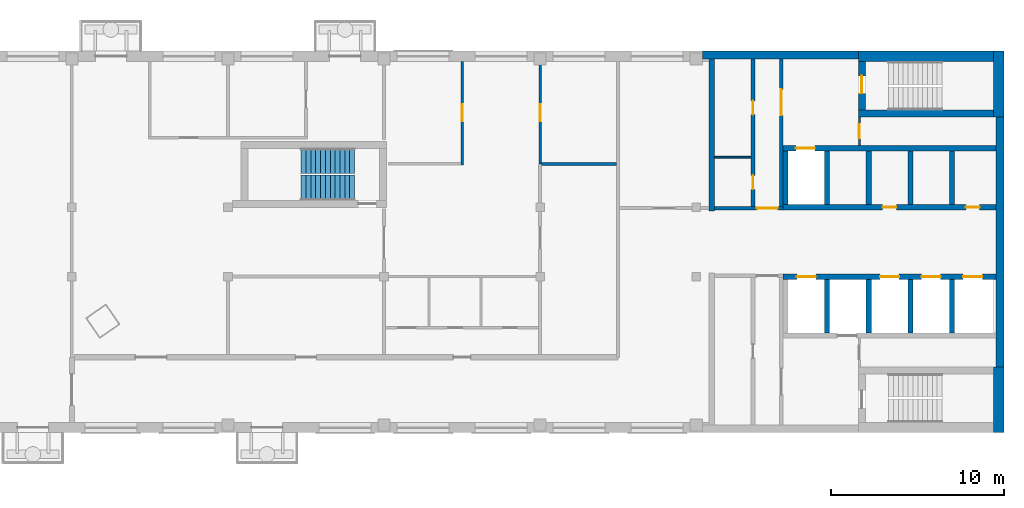
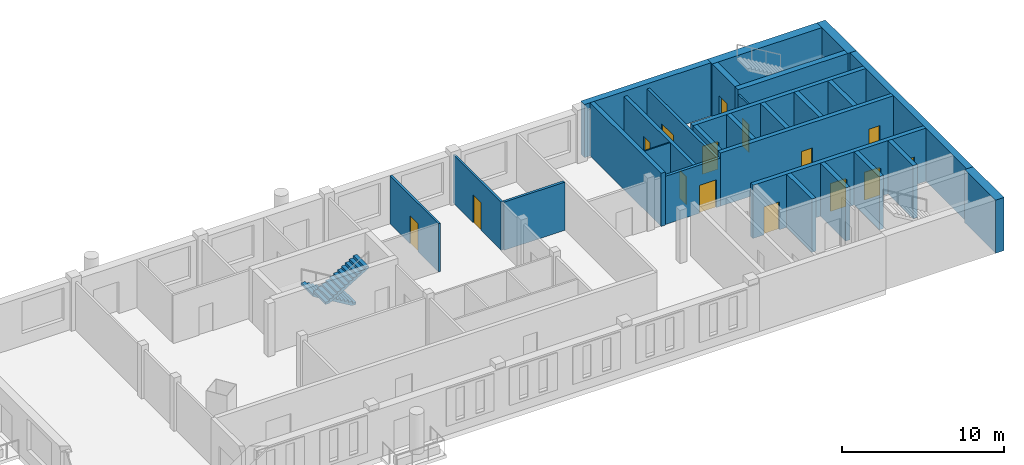
# One storey, part 4 of 8: 28 walls, 15 doors, 2 stair flights, 15 openings, 1 element without a shape of its own.
"""IFC4 building model written with IfcOpenShell, lengths in metres."""

from ifc_helpers import new_model, si_unit, direction, frame, frame_2d, origin, place, context, subcontext, project, spatial, polyline, rectangle, outline, extrude, material, layer, layer_set, type_object, element, fill, aggregate, save


model = new_model("IFC4")

# Units and contexts
model_context = context("Model", 3, precision=1e-05, world=origin(), true_north=direction((0.0, 1.0)))
body_context = subcontext(model_context, "Body", "Model", "MODEL_VIEW")
ifc_project = project(units=[si_unit("LENGTHUNIT", "METRE"), si_unit("AREAUNIT", "SQUARE_METRE"), si_unit("VOLUMEUNIT", "CUBIC_METRE"), si_unit("PLANEANGLEUNIT", "RADIAN"), si_unit("MASSUNIT", "GRAM", prefix="KILO")], contexts=[model_context])

# Site, building, storey
site_placement = place(None, origin())
site = spatial("IfcSite", under=ifc_project, at=site_placement, CompositionType="ELEMENT")
building_placement = place(site_placement, origin())
building = spatial("IfcBuilding", under=site, at=building_placement, Name="Skarvind Civic Tower", CompositionType="ELEMENT")
storey_placement = place(building_placement, frame((0.0, 0.0, 253.5)))
storey = spatial("IfcBuildingStorey", under=building, at=storey_placement, Name="L60", CompositionType="ELEMENT", Elevation=253.5)

# Wall
ifc_material_1 = material(Name="Acoustic gypsum board on steel studs", Category="steel")
ifc_layer_1 = layer(ifc_material_1, 0.175048828125)
ifc_layer_set_1 = layer_set([ifc_layer_1], Name="ACOUSTIC MEETING-ROOM PARTITION 175")
wall_type_1 = type_object("IfcWallType", Name="ACOUSTIC MEETING-ROOM PARTITION 175", PredefinedType="PARTITIONING", material=ifc_layer_set_1)
wall_1_placement = place(storey_placement, frame((85.662109375, 132.5, 0.0), z_axis=(0.0, 0.0, 1.0), x_axis=(-1.0, 0.0, 0.0)))
element("IfcWall", 1, at=wall_1_placement, inside=storey, type_object=wall_type_1, Name="Partition 60.022", PredefinedType="PARTITIONING", context=body_context, shape_type="SweptSolid", body=[
    extrude(rectangle(XDim=4.32421875, YDim=0.175048828125, at=frame_2d((2.162109375, 0.0))), origin(), (0.0, 0.0, 1.0), 3.625),
])

# Wall, opening, door
ifc_material_2 = material(Name="Fire-rated masonry partition", Category="masonry")
ifc_layer_2 = layer(ifc_material_2, 0.199951171875)
ifc_layer_set_2 = layer_set([ifc_layer_2], Name="Core enclosure wall 200")
wall_type_2 = type_object("IfcWallType", Name="Core enclosure wall 200", PredefinedType="PARTITIONING", material=ifc_layer_set_2)
wall_2_placement = place(storey_placement, frame((91.300048828125, 129.949951171875, 0.0), z_axis=(0.0, 0.0, 1.0), x_axis=(1.0, 0.0, 0.0)))
wall_2 = element("IfcWall", 2, at=wall_2_placement, inside=storey, type_object=wall_type_2, Name="Core wall C1", PredefinedType="PARTITIONING", context=body_context, shape_type="SweptSolid", body=[
    extrude(rectangle(XDim=3.949951171875, YDim=0.199951171875, at=frame_2d((1.97509765625, 0.0))), origin(), (0.0, 0.0, 1.0), 3.625),
])
opening_1_placement = place(wall_2_placement, frame((2.449951171875, 0.0, 0.0)))
opening_1 = element("IfcOpeningElement", 3, at=opening_1_placement, cuts=wall_2, Name="Opening D-L60-C1-12", PredefinedType="OPENING", context=body_context, shape_type="SweptSolid", body=[
    extrude(rectangle(XDim=1.199951171875, YDim=2.10009765625, at=frame_2d((0.60009765625, 1.050048828125))), frame((0.0, 0.10986328125, 0.0), z_axis=(0.0, -1.0, 0.0), x_axis=(1.0, 0.0, 0.0)), (0.0, 0.0, 1.0), 0.219970703125),
])
ifc_material_3 = material(Name="Fire-rated steel door", Category="steel")
door_type_1 = type_object("IfcDoorType", Name="Core lobby door 1200", OperationType="NOTDEFINED", PredefinedType="DOOR", material=ifc_material_3)
door_1_placement = place(opening_1_placement, origin())
door_1 = element("IfcDoor", 4, at=door_1_placement, inside=storey, type_object=door_type_1, Name="Fire door", OperationType="DOUBLE_DOOR_SINGLE_SWING", OverallHeight=2.10009765625, OverallWidth=1.199951171875, PredefinedType="DOOR", context=body_context, shape_type="SweptSolid", body=[
    extrude(rectangle(XDim=1.199951171875, YDim=2.10009765625, at=frame_2d((0.60009765625, 1.050048828125))), frame((0.0, 0.02490234375, 0.0), z_axis=(0.0, -1.0, 0.0), x_axis=(1.0, 0.0, 0.0)), (0.0, 0.0, 1.0), 0.050048828125),
])
fill(opening_1, door_1)

wall_3_placement = place(storey_placement, frame((95.14990234375, 130.050048828125, 0.0), z_axis=(0.0, 0.0, 1.0), x_axis=(0.0, 1.0, 0.0)))
wall_3 = element("IfcWall", 5, at=wall_3_placement, inside=storey, type_object=wall_type_2, Name="Core wall C1", PredefinedType="PARTITIONING", context=body_context, shape_type="SweptSolid", body=[
    extrude(rectangle(XDim=8.5, YDim=0.199951171875, at=frame_2d((4.25, 0.0))), origin(), (0.0, 0.0, 1.0), 3.625),
])
opening_2_placement = place(wall_3_placement, frame((5.25, 0.0, 0.0)))
opening_2 = element("IfcOpeningElement", 6, at=opening_2_placement, cuts=wall_3, Name="Opening D-L60-C1-13", PredefinedType="OPENING", context=body_context, shape_type="SweptSolid", body=[
    extrude(rectangle(XDim=1.5, YDim=2.10009765625, at=frame_2d((0.75, 1.050048828125))), frame((0.0, 0.10986328125, 0.0), z_axis=(0.0, -1.0, 0.0), x_axis=(1.0, 0.0, 0.0)), (0.0, 0.0, 1.0), 0.219970703125),
])
door_type_2 = type_object("IfcDoorType", Name="Fire door 1500", OperationType="NOTDEFINED", PredefinedType="DOOR", material=ifc_material_3)
door_2_placement = place(opening_2_placement, origin())
door_2 = element("IfcDoor", 7, at=door_2_placement, inside=storey, type_object=door_type_2, Name="Fire door", OperationType="DOUBLE_DOOR_SINGLE_SWING", OverallHeight=2.10009765625, OverallWidth=1.5, PredefinedType="DOOR", context=body_context, shape_type="SweptSolid", body=[
    extrude(rectangle(XDim=1.5, YDim=2.10009765625, at=frame_2d((0.75, 1.050048828125))), frame((0.0, 0.02490234375, 0.0), z_axis=(0.0, -1.0, 0.0), x_axis=(1.0, 0.0, 0.0)), (0.0, 0.0, 1.0), 0.050048828125),
])
fill(opening_2, door_2)

# Wall
ifc_material_4 = material(Name="Fire-rated plasterboard partition")
ifc_layer_3 = layer(ifc_material_4, 0.10009765625)
ifc_layer_set_3 = layer_set([ifc_layer_3], Name="Core partition wall 100")
wall_type_3 = type_object("IfcWallType", Name="Core partition wall 100", PredefinedType="PARTITIONING", material=ifc_layer_set_3)
wall_4_placement = place(storey_placement, frame((91.300048828125, 132.8798828125, 0.0), z_axis=(0.0, 0.0, 1.0), x_axis=(1.0, 0.0, 0.0)))
element("IfcWall", 8, at=wall_4_placement, inside=storey, type_object=wall_type_3, Name="Core wall C1", PredefinedType="PARTITIONING", context=body_context, shape_type="SweptSolid", body=[
    extrude(rectangle(XDim=2.099853515625, YDim=0.10009765625, at=frame_2d((1.0498046875, 0.0))), origin(), (0.0, 0.0, 1.0), 3.625),
])

# Wall, openings, doors
ifc_material_5 = material(Name="Concrete C60", Category="concrete")
ifc_layer_4 = layer(ifc_material_5, 0.300048828125)
ifc_layer_set_4 = layer_set([ifc_layer_4], Name="Core wall 300 C60")
wall_type_4 = type_object("IfcWallType", Name="Core wall 300 C60", PredefinedType="SHEAR", material=ifc_layer_set_4)
wall_5_placement = place(storey_placement, frame((107.550048828125, 130.0, 0.0), z_axis=(0.0, 0.0, 1.0), x_axis=(-1.0, 0.0, 0.0)))
wall_5 = element("IfcWall", 9, at=wall_5_placement, inside=storey, type_object=wall_type_4, Name="Core wall C1 south lift row front L60", PredefinedType="SHEAR", context=body_context, shape_type="SweptSolid", body=[
    extrude(rectangle(XDim=12.300048828125, YDim=0.300048828125, at=frame_2d((6.14990234375, 0.0))), origin(), (0.0, 0.0, 1.0), 4.0),
])
opening_3_placement = place(wall_5_placement, frame((0.949951171875, 0.0, 0.0)))
opening_3 = element("IfcOpeningElement", 10, at=opening_3_placement, cuts=wall_5, Name="Opening D-L60-C1-05", PredefinedType="OPENING", context=body_context, shape_type="SweptSolid", body=[
    extrude(rectangle(XDim=0.800048828125, YDim=2.10009765625, at=frame_2d((0.39990234375, 1.050048828125))), frame((0.0, 0.159912109375, 0.0), z_axis=(0.0, -1.0, 0.0), x_axis=(1.0, 0.0, 0.0)), (0.0, 0.0, 1.0), 0.320068359375),
])
opening_4_placement = place(wall_5_placement, frame((5.75, 0.0, 0.0)))
opening_4 = element("IfcOpeningElement", 11, at=opening_4_placement, cuts=wall_5, Name="Opening D-L60-C1-06", PredefinedType="OPENING", context=body_context, shape_type="SweptSolid", body=[
    extrude(rectangle(XDim=0.800048828125, YDim=2.10009765625, at=frame_2d((0.39990234375, 1.050048828125))), frame((0.0, 0.159912109375, 0.0), z_axis=(0.0, -1.0, 0.0), x_axis=(1.0, 0.0, 0.0)), (0.0, 0.0, 1.0), 0.320068359375),
])
door_type_3 = type_object("IfcDoorType", Name="Core riser door 800", OperationType="NOTDEFINED", PredefinedType="DOOR", material=ifc_material_3)
door_3_placement = place(opening_3_placement, origin())
door_3 = element("IfcDoor", 12, at=door_3_placement, inside=storey, type_object=door_type_3, Name="Riser door", OperationType="SINGLE_SWING_LEFT", OverallHeight=2.10009765625, OverallWidth=0.800048828125, PredefinedType="DOOR", context=body_context, shape_type="SweptSolid", body=[
    extrude(rectangle(XDim=0.800048828125, YDim=2.10009765625, at=frame_2d((0.39990234375, 1.050048828125))), frame((0.0, 0.02490234375, 0.0), z_axis=(0.0, -1.0, 0.0), x_axis=(1.0, 0.0, 0.0)), (0.0, 0.0, 1.0), 0.050048828125),
])
fill(opening_3, door_3)
door_4_placement = place(opening_4_placement, origin())
door_4 = element("IfcDoor", 13, at=door_4_placement, inside=storey, type_object=door_type_3, Name="Riser door", OperationType="SINGLE_SWING_RIGHT", OverallHeight=2.10009765625, OverallWidth=0.800048828125, PredefinedType="DOOR", context=body_context, shape_type="SweptSolid", body=[
    extrude(rectangle(XDim=0.800048828125, YDim=2.10009765625, at=frame_2d((0.39990234375, 1.050048828125))), frame((0.0, 0.02490234375, 0.0), z_axis=(0.0, -1.0, 0.0), x_axis=(1.0, 0.0, 0.0)), (0.0, 0.0, 1.0), 0.050048828125),
])
fill(opening_4, door_4)

# Wall, opening, door
wall_6_placement = place(storey_placement, frame((107.550048828125, 133.39990234375, 0.0), z_axis=(0.0, 0.0, 1.0), x_axis=(-1.0, 0.0, 0.0)))
wall_6 = element("IfcWall", 14, at=wall_6_placement, inside=storey, type_object=wall_type_4, Name="Core wall C1 south lift row back L60", PredefinedType="SHEAR", context=body_context, shape_type="SweptSolid", body=[
    extrude(rectangle(XDim=12.300048828125, YDim=0.300048828125, at=frame_2d((6.14990234375, 0.0))), origin(), (0.0, 0.0, 1.0), 4.0),
])
opening_5_placement = place(wall_6_placement, frame((10.449951171875, 0.0, 0.0)))
opening_5 = element("IfcOpeningElement", 15, at=opening_5_placement, cuts=wall_6, Name="Opening LD62110", PredefinedType="OPENING", context=body_context, shape_type="SweptSolid", body=[
    extrude(rectangle(XDim=1.10009765625, YDim=2.10009765625, at=frame_2d((0.550048828125, 1.050048828125))), frame((0.0, 0.159912109375, 0.0), z_axis=(0.0, -1.0, 0.0), x_axis=(1.0, 0.0, 0.0)), (0.0, 0.0, 1.0), 0.320068359375),
])
ifc_material_6 = material(Name="Stainless steel landing door", Category="steel")
door_type_4 = type_object("IfcDoorType", Name="Lift landing door 1100", OperationType="DOUBLE_DOOR_SLIDING", PredefinedType="DOOR", material=ifc_material_6)
door_5_placement = place(opening_5_placement, origin())
door_5 = element("IfcDoor", 16, at=door_5_placement, inside=storey, type_object=door_type_4, Name="Lift landing door", OperationType="DOUBLE_DOOR_SLIDING", OverallHeight=2.10009765625, OverallWidth=1.10009765625, PredefinedType="DOOR", context=body_context, shape_type="SweptSolid", body=[
    extrude(rectangle(XDim=1.10009765625, YDim=2.10009765625, at=frame_2d((0.550048828125, 1.050048828125))), frame((0.0, 0.02490234375, 0.0), z_axis=(0.0, -1.0, 0.0), x_axis=(1.0, 0.0, 0.0)), (0.0, 0.0, 1.0), 0.050048828125),
])
fill(opening_5, door_5)

# Walls
for number, where, z_axis, x_axis, name in (
    (17, (105.0, 133.25, 0.0), (0.0, 0.0, 1.0), (0.0, -1.0, 0.0), "Core wall C1 south lift row division 1 L60"),
    (18, (102.60009765625, 133.25, 0.0), (0.0, 0.0, 1.0), (0.0, -1.0, 0.0), "Core wall C1 south lift row division 2 L60"),
    (19, (100.199951171875, 133.25, 0.0), (0.0, 0.0, 1.0), (0.0, -1.0, 0.0), "Core wall C1 south lift row division 3 L60"),
    (20, (97.800048828125, 133.25, 0.0), (0.0, 0.0, 1.0), (0.0, -1.0, 0.0), "Core wall C1 south lift row division 4 L60"),
    (21, (95.39990234375, 133.25, 0.0), (0.0, 0.0, 1.0), (0.0, -1.0, 0.0), "Core wall C1 south lift row division 5 L60"),
):
    element("IfcWall", number, at=place(storey_placement, frame(where, z_axis=z_axis, x_axis=x_axis)), inside=storey, type_object=wall_type_4, Name=name, PredefinedType="SHEAR", context=body_context, shape_type="SweptSolid", body=[
        extrude(rectangle(XDim=3.10009765625, YDim=0.300048828125, at=frame_2d((1.550048828125, 0.0))), origin(), (0.0, 0.0, 1.0), 4.0),
    ])

# Wall, openings, doors
wall_7_placement = place(storey_placement, frame((107.550048828125, 126.0, 0.0), z_axis=(0.0, 0.0, 1.0), x_axis=(-1.0, 0.0, 0.0)))
wall_7 = element("IfcWall", 22, at=wall_7_placement, inside=storey, type_object=wall_type_4, Name="Core wall C1 north lift row front L60", PredefinedType="SHEAR", context=body_context, shape_type="SweptSolid", body=[
    extrude(rectangle(XDim=12.300048828125, YDim=0.300048828125, at=frame_2d((6.14990234375, 0.0))), origin(), (0.0, 0.0, 1.0), 4.0),
])
opening_6_placement = place(wall_7_placement, frame((0.800048828125, 0.0, 0.0)))
opening_6 = element("IfcOpeningElement", 23, at=opening_6_placement, cuts=wall_7, Name="Opening LD62101", PredefinedType="OPENING", context=body_context, shape_type="SweptSolid", body=[
    extrude(rectangle(XDim=1.10009765625, YDim=2.10009765625, at=frame_2d((0.550048828125, 1.050048828125))), frame((0.0, 0.159912109375, 0.0), z_axis=(0.0, -1.0, 0.0), x_axis=(1.0, 0.0, 0.0)), (0.0, 0.0, 1.0), 0.320068359375),
])
opening_7_placement = place(wall_7_placement, frame((3.199951171875, 0.0, 0.0)))
opening_7 = element("IfcOpeningElement", 24, at=opening_7_placement, cuts=wall_7, Name="Opening LD62102", PredefinedType="OPENING", context=body_context, shape_type="SweptSolid", body=[
    extrude(rectangle(XDim=1.10009765625, YDim=2.10009765625, at=frame_2d((0.550048828125, 1.050048828125))), frame((0.0, 0.159912109375, 0.0), z_axis=(0.0, -1.0, 0.0), x_axis=(1.0, 0.0, 0.0)), (0.0, 0.0, 1.0), 0.320068359375),
])
opening_8_placement = place(wall_7_placement, frame((5.60009765625, 0.0, 0.0)))
opening_8 = element("IfcOpeningElement", 25, at=opening_8_placement, cuts=wall_7, Name="Opening LD62103", PredefinedType="OPENING", context=body_context, shape_type="SweptSolid", body=[
    extrude(rectangle(XDim=1.10009765625, YDim=2.10009765625, at=frame_2d((0.550048828125, 1.050048828125))), frame((0.0, 0.159912109375, 0.0), z_axis=(0.0, -1.0, 0.0), x_axis=(1.0, 0.0, 0.0)), (0.0, 0.0, 1.0), 0.320068359375),
])
opening_9_placement = place(wall_7_placement, frame((10.39990234375, 0.0, 0.0)))
opening_9 = element("IfcOpeningElement", 26, at=opening_9_placement, cuts=wall_7, Name="Opening LD62105", PredefinedType="OPENING", context=body_context, shape_type="SweptSolid", body=[
    extrude(rectangle(XDim=1.10009765625, YDim=2.10009765625, at=frame_2d((0.550048828125, 1.050048828125))), frame((0.0, 0.159912109375, 0.0), z_axis=(0.0, -1.0, 0.0), x_axis=(1.0, 0.0, 0.0)), (0.0, 0.0, 1.0), 0.320068359375),
])
door_6_placement = place(opening_6_placement, origin())
door_6 = element("IfcDoor", 27, at=door_6_placement, inside=storey, type_object=door_type_4, Name="Lift landing door", OperationType="DOUBLE_DOOR_SLIDING", OverallHeight=2.10009765625, OverallWidth=1.10009765625, PredefinedType="DOOR", context=body_context, shape_type="SweptSolid", body=[
    extrude(rectangle(XDim=1.10009765625, YDim=2.10009765625, at=frame_2d((0.550048828125, 1.050048828125))), frame((0.0, 0.02490234375, 0.0), z_axis=(0.0, -1.0, 0.0), x_axis=(1.0, 0.0, 0.0)), (0.0, 0.0, 1.0), 0.050048828125),
])
fill(opening_6, door_6)
door_7_placement = place(opening_7_placement, origin())
door_7 = element("IfcDoor", 28, at=door_7_placement, inside=storey, type_object=door_type_4, Name="Lift landing door", OperationType="DOUBLE_DOOR_SLIDING", OverallHeight=2.10009765625, OverallWidth=1.10009765625, PredefinedType="DOOR", context=body_context, shape_type="SweptSolid", body=[
    extrude(rectangle(XDim=1.10009765625, YDim=2.10009765625, at=frame_2d((0.550048828125, 1.050048828125))), frame((0.0, 0.02490234375, 0.0), z_axis=(0.0, -1.0, 0.0), x_axis=(1.0, 0.0, 0.0)), (0.0, 0.0, 1.0), 0.050048828125),
])
fill(opening_7, door_7)
door_8_placement = place(opening_8_placement, origin())
door_8 = element("IfcDoor", 29, at=door_8_placement, inside=storey, type_object=door_type_4, Name="Lift landing door", OperationType="DOUBLE_DOOR_SLIDING", OverallHeight=2.10009765625, OverallWidth=1.10009765625, PredefinedType="DOOR", context=body_context, shape_type="SweptSolid", body=[
    extrude(rectangle(XDim=1.10009765625, YDim=2.10009765625, at=frame_2d((0.550048828125, 1.050048828125))), frame((0.0, 0.02490234375, 0.0), z_axis=(0.0, -1.0, 0.0), x_axis=(1.0, 0.0, 0.0)), (0.0, 0.0, 1.0), 0.050048828125),
])
fill(opening_8, door_8)
door_9_placement = place(opening_9_placement, origin())
door_9 = element("IfcDoor", 30, at=door_9_placement, inside=storey, type_object=door_type_4, Name="Lift landing door", OperationType="DOUBLE_DOOR_SLIDING", OverallHeight=2.10009765625, OverallWidth=1.10009765625, PredefinedType="DOOR", context=body_context, shape_type="SweptSolid", body=[
    extrude(rectangle(XDim=1.10009765625, YDim=2.10009765625, at=frame_2d((0.550048828125, 1.050048828125))), frame((0.0, 0.02490234375, 0.0), z_axis=(0.0, -1.0, 0.0), x_axis=(1.0, 0.0, 0.0)), (0.0, 0.0, 1.0), 0.050048828125),
])
fill(opening_9, door_9)

# Walls
for number, where, z_axis, x_axis, name in (
    (31, (105.0, 125.85009765625, 0.0), (0.0, 0.0, 1.0), (0.0, -1.0, 0.0), "Core wall C1 north lift row division 1 L60"),
    (32, (102.60009765625, 125.85009765625, 0.0), (0.0, 0.0, 1.0), (0.0, -1.0, 0.0), "Core wall C1 north lift row division 2 L60"),
    (33, (100.199951171875, 125.85009765625, 0.0), (0.0, 0.0, 1.0), (0.0, -1.0, 0.0), "Core wall C1 north lift row division 3 L60"),
    (34, (97.800048828125, 125.85009765625, 0.0), (0.0, 0.0, 1.0), (0.0, -1.0, 0.0), "Core wall C1 north lift row division 4 L60"),
):
    element("IfcWall", number, at=place(storey_placement, frame(where, z_axis=z_axis, x_axis=x_axis)), inside=storey, type_object=wall_type_4, Name=name, PredefinedType="SHEAR", context=body_context, shape_type="SweptSolid", body=[
        extrude(rectangle(XDim=3.10009765625, YDim=0.300048828125, at=frame_2d((1.550048828125, 0.0))), origin(), (0.0, 0.0, 1.0), 4.0),
    ])
wall_8_placement = place(storey_placement, frame((91.14990234375, 138.550048828125, 0.0), z_axis=(0.0, 0.0, 1.0), x_axis=(0.0, -1.0, 0.0)))
element("IfcWall", 35, at=wall_8_placement, inside=storey, type_object=wall_type_4, Name="Core wall C1 south inner face L60", PredefinedType="SHEAR", context=body_context, shape_type="SweptSolid", body=[
    extrude(rectangle(XDim=8.75, YDim=0.300048828125, at=frame_2d((4.375, 0.0))), origin(), (0.0, 0.0, 1.0), 4.0),
])
ifc_layer_5 = layer(ifc_material_5, 0.39990234375)
ifc_layer_set_5 = layer_set([ifc_layer_5], Name="Core wall 400 C60")
wall_type_5 = type_object("IfcWallType", Name="Core wall 400 C60", PredefinedType="SHEAR", material=ifc_layer_set_5)
wall_9_placement = place(storey_placement, frame((107.39990234375, 135.39990234375, 0.0), z_axis=(0.0, 0.0, 1.0), x_axis=(-1.0, 0.0, 0.0)))
element("IfcWall", 36, at=wall_9_placement, inside=storey, type_object=wall_type_5, Name="Core wall C1 south stair inner L60", PredefinedType="SHEAR", context=body_context, shape_type="SweptSolid", body=[
    extrude(rectangle(XDim=7.7998046875, YDim=0.39990234375, at=frame_2d((3.89990234375, 0.0))), origin(), (0.0, 0.0, 1.0), 4.0),
])

# Wall, opening, door
wall_10_placement = place(storey_placement, frame((99.800048828125, 138.39990234375, 0.0), z_axis=(0.0, 0.0, 1.0), x_axis=(0.0, -1.0, 0.0)))
wall_10 = element("IfcWall", 37, at=wall_10_placement, inside=storey, type_object=wall_type_5, Name="Core wall C1 south stair end L60", PredefinedType="SHEAR", context=body_context, shape_type="SweptSolid", body=[
    extrude(rectangle(XDim=2.7998046875, YDim=0.39990234375, at=frame_2d((1.39990234375, 0.0))), origin(), (0.0, 0.0, 1.0), 4.0),
])
opening_10_placement = place(wall_10_placement, frame((0.824951171875, 0.0, 0.0)))
opening_10 = element("IfcOpeningElement", 38, at=opening_10_placement, cuts=wall_10, Name="Opening D-L60-C1-14", PredefinedType="OPENING", context=body_context, shape_type="SweptSolid", body=[
    extrude(rectangle(XDim=1.0, YDim=2.10009765625, at=frame_2d((0.5, 1.050048828125))), frame((0.0, 0.2099609375, 0.0), z_axis=(0.0, -1.0, 0.0), x_axis=(1.0, 0.0, 0.0)), (0.0, 0.0, 1.0), 0.419921875),
])
door_type_5 = type_object("IfcDoorType", Name="Fire door 1000", OperationType="NOTDEFINED", PredefinedType="DOOR", material=ifc_material_3)
door_10_placement = place(opening_10_placement, origin())
door_10 = element("IfcDoor", 39, at=door_10_placement, inside=storey, type_object=door_type_5, Name="Fire door", OperationType="SINGLE_SWING_RIGHT", OverallHeight=2.10009765625, OverallWidth=1.0, PredefinedType="DOOR", context=body_context, shape_type="SweptSolid", body=[
    extrude(rectangle(XDim=1.0, YDim=2.10009765625, at=frame_2d((0.5, 1.050048828125))), frame((0.0, 0.02490234375, 0.0), z_axis=(0.0, -1.0, 0.0), x_axis=(1.0, 0.0, 0.0)), (0.0, 0.0, 1.0), 0.050048828125),
])
fill(opening_10, door_10)

# Walls
ifc_layer_6 = layer(ifc_material_5, 0.449951171875)
ifc_layer_set_6 = layer_set([ifc_layer_6], Name="Core wall 450 C60")
wall_type_6 = type_object("IfcWallType", Name="Core wall 450 C60", PredefinedType="SHEAR", material=ifc_layer_set_6)
wall_11_placement = place(storey_placement, frame((107.77490234375, 135.199951171875, 0.0), z_axis=(0.0, 0.0, 1.0), x_axis=(0.0, -1.0, 0.0)))
element("IfcWall", 40, at=wall_11_placement, inside=storey, type_object=wall_type_6, Name="Core wall C1 tip between the stairs L60", PredefinedType="SHEAR", context=body_context, shape_type="SweptSolid", body=[
    extrude(rectangle(XDim=14.39990234375, YDim=0.449951171875, at=frame_2d((7.199951171875, 0.0))), origin(), (0.0, 0.0, 1.0), 4.0),
])
wall_12_placement = place(storey_placement, frame((99.60009765625, 138.77490234375, 0.0), z_axis=(0.0, 0.0, 1.0), x_axis=(-1.0, 0.0, 0.0)))
element("IfcWall", 41, at=wall_12_placement, inside=storey, type_object=wall_type_6, Name="Core wall C1 south side L60", PredefinedType="SHEAR", context=body_context, shape_type="SweptSolid", body=[
    extrude(rectangle(XDim=9.0, YDim=0.449951171875, at=frame_2d((4.5, 0.0))), origin(), (0.0, 0.0, 1.0), 4.0),
])
ifc_layer_7 = layer(ifc_material_5, 0.60009765625)
ifc_layer_set_7 = layer_set([ifc_layer_7], Name="Core wall 600 C60")
wall_type_7 = type_object("IfcWallType", Name="Core wall 600 C60", PredefinedType="SHEAR", material=ifc_layer_set_7)
for number, where, z_axis, x_axis, name in (
    (42, (107.699951171875, 139.0, 0.0), (0.0, 0.0, 1.0), (0.0, -1.0, 0.0), "Core wall C1 tip at the south stair L60"),
    (43, (107.699951171875, 120.800048828125, 0.0), (0.0, 0.0, 1.0), (0.0, -1.0, 0.0), "Core wall C1 tip at the north stair L60"),
):
    element("IfcWall", number, at=place(storey_placement, frame(where, z_axis=z_axis, x_axis=x_axis)), inside=storey, type_object=wall_type_7, Name=name, PredefinedType="SHEAR", context=body_context, shape_type="SweptSolid", body=[
        extrude(rectangle(XDim=3.800048828125, YDim=0.60009765625, at=frame_2d((1.89990234375, 0.0))), origin(), (0.0, 0.0, 1.0), 4.0),
    ])
wall_13_placement = place(storey_placement, frame((107.39990234375, 138.699951171875, 0.0), z_axis=(0.0, 0.0, 1.0), x_axis=(-1.0, 0.0, 0.0)))
element("IfcWall", 44, at=wall_13_placement, inside=storey, type_object=wall_type_7, Name="Core wall C1 south side at the stair L60", PredefinedType="SHEAR", context=body_context, shape_type="SweptSolid", body=[
    extrude(rectangle(XDim=7.7998046875, YDim=0.60009765625, at=frame_2d((3.89990234375, 0.0))), origin(), (0.0, 0.0, 1.0), 4.0),
])

# Wall, opening, door
ifc_material_7 = material(Name="Plasterboard partition on steel studs", Category="steel")
ifc_layer_8 = layer(ifc_material_7, 0.14990234375)
ifc_layer_set_8 = layer_set([ifc_layer_8], Name="PARTITION 150")
wall_type_8 = type_object("IfcWallType", Name="PARTITION 150", PredefinedType="PARTITIONING", material=ifc_layer_set_8)
wall_14_placement = place(storey_placement, frame((76.75, 138.39990234375, 0.0), z_axis=(0.0, 0.0, 1.0), x_axis=(0.0, -1.0, 0.0)))
wall_14 = element("IfcWall", 45, at=wall_14_placement, inside=storey, type_object=wall_type_8, Name="Partition 60.017", PredefinedType="PARTITIONING", context=body_context, shape_type="SweptSolid", body=[
    extrude(rectangle(XDim=5.974853515625, YDim=0.14990234375, at=frame_2d((2.9873046875, 0.0))), origin(), (0.0, 0.0, 1.0), 3.625),
])
opening_11_placement = place(wall_14_placement, frame((2.449951171875, 0.0, 0.0)))
opening_11 = element("IfcOpeningElement", 46, at=opening_11_placement, cuts=wall_14, Name="Opening L60-D007", PredefinedType="OPENING", context=body_context, shape_type="SweptSolid", body=[
    extrude(rectangle(XDim=1.0, YDim=2.10009765625, at=frame_2d((0.5, 1.050048828125))), frame((0.0, 0.0849609375, 0.0), z_axis=(0.0, -1.0, 0.0), x_axis=(1.0, 0.0, 0.0)), (0.0, 0.0, 1.0), 0.169921875),
])
ifc_material_8 = material(Name="Timber door leaf", Category="wood")
door_type_6 = type_object("IfcDoorType", Name="D1 1000x2100", OperationType="NOTDEFINED", PredefinedType="DOOR", material=ifc_material_8)
door_11_placement = place(opening_11_placement, origin())
door_11 = element("IfcDoor", 47, at=door_11_placement, inside=storey, type_object=door_type_6, Name="Door L60-D007", OperationType="SINGLE_SWING_LEFT", OverallHeight=2.10009765625, OverallWidth=1.0, PredefinedType="DOOR", context=body_context, shape_type="SweptSolid", body=[
    extrude(rectangle(XDim=1.0, YDim=2.10009765625, at=frame_2d((0.5, 1.050048828125))), frame((0.0, 0.02490234375, 0.0), z_axis=(0.0, -1.0, 0.0), x_axis=(1.0, 0.0, 0.0)), (0.0, 0.0, 1.0), 0.050048828125),
])
fill(opening_11, door_11)

wall_15_placement = place(storey_placement, frame((81.25, 132.5, 0.0), z_axis=(0.0, 0.0, 1.0), x_axis=(0.0, 1.0, 0.0)))
wall_15 = element("IfcWall", 48, at=wall_15_placement, inside=storey, type_object=wall_type_8, Name="Partition 60.020", PredefinedType="PARTITIONING", context=body_context, shape_type="SweptSolid", body=[
    extrude(rectangle(XDim=5.89990234375, YDim=0.14990234375, at=frame_2d((2.949951171875, 0.0))), origin(), (0.0, 0.0, 1.0), 3.625),
])
opening_12_placement = place(wall_15_placement, frame((2.449951171875, 0.0, 0.0)))
opening_12 = element("IfcOpeningElement", 49, at=opening_12_placement, cuts=wall_15, Name="Opening L60-D006", PredefinedType="OPENING", context=body_context, shape_type="SweptSolid", body=[
    extrude(rectangle(XDim=1.0, YDim=2.10009765625, at=frame_2d((0.5, 1.050048828125))), frame((0.0, 0.0849609375, 0.0), z_axis=(0.0, -1.0, 0.0), x_axis=(1.0, 0.0, 0.0)), (0.0, 0.0, 1.0), 0.169921875),
])
door_12_placement = place(opening_12_placement, origin())
door_12 = element("IfcDoor", 50, at=door_12_placement, inside=storey, type_object=door_type_6, Name="Door L60-D006", OperationType="SINGLE_SWING_LEFT", OverallHeight=2.10009765625, OverallWidth=1.0, PredefinedType="DOOR", context=body_context, shape_type="SweptSolid", body=[
    extrude(rectangle(XDim=1.0, YDim=2.10009765625, at=frame_2d((0.5, 1.050048828125))), frame((0.0, 0.02490234375, 0.0), z_axis=(0.0, -1.0, 0.0), x_axis=(1.0, 0.0, 0.0)), (0.0, 0.0, 1.0), 0.050048828125),
])
fill(opening_12, door_12)

ifc_layer_9 = layer(ifc_material_2, 0.125)
ifc_layer_set_9 = layer_set([ifc_layer_9], Name="Riser wall 125")
wall_type_9 = type_object("IfcWallType", Name="Riser wall 125", PredefinedType="PARTITIONING", material=ifc_layer_set_9)
wall_16_placement = place(storey_placement, frame((99.66259765625, 133.550048828125, 0.0), z_axis=(0.0, 0.0, 1.0), x_axis=(0.0, 1.0, 0.0)))
wall_16 = element("IfcWall", 51, at=wall_16_placement, inside=storey, type_object=wall_type_9, Name="Core wall C1", PredefinedType="PARTITIONING", context=body_context, shape_type="SweptSolid", body=[
    extrude(rectangle(XDim=1.64990234375, YDim=0.125, at=frame_2d((0.824951171875, 0.0))), origin(), (0.0, 0.0, 1.0), 3.625),
])
opening_13_placement = place(wall_16_placement, frame((0.425048828125, 0.0, 0.0)))
opening_13 = element("IfcOpeningElement", 52, at=opening_13_placement, cuts=wall_16, Name="Opening D-L60-C1-15", PredefinedType="OPENING", context=body_context, shape_type="SweptSolid", body=[
    extrude(rectangle(XDim=0.800048828125, YDim=2.10009765625, at=frame_2d((0.39990234375, 1.050048828125))), frame((0.0, 0.072509765625, 0.0), z_axis=(0.0, -1.0, 0.0), x_axis=(1.0, 0.0, 0.0)), (0.0, 0.0, 1.0), 0.14501953125),
])
door_13_placement = place(opening_13_placement, origin())
door_13 = element("IfcDoor", 53, at=door_13_placement, inside=storey, type_object=door_type_3, Name="Riser door", OperationType="SINGLE_SWING_LEFT", OverallHeight=2.10009765625, OverallWidth=0.800048828125, PredefinedType="DOOR", context=body_context, shape_type="SweptSolid", body=[
    extrude(rectangle(XDim=0.800048828125, YDim=2.10009765625, at=frame_2d((0.39990234375, 1.050048828125))), frame((0.0, 0.02490234375, 0.0), z_axis=(0.0, -1.0, 0.0), x_axis=(1.0, 0.0, 0.0)), (0.0, 0.0, 1.0), 0.050048828125),
])
fill(opening_13, door_13)

# Wall, openings, doors
ifc_layer_10 = layer(ifc_material_2, 0.25)
ifc_layer_set_10 = layer_set([ifc_layer_10], Name="Service block wall 250")
wall_type_10 = type_object("IfcWallType", Name="Service block wall 250", PredefinedType="PARTITIONING", material=ifc_layer_set_10)
wall_17_placement = place(storey_placement, frame((93.52490234375, 130.050048828125, 0.0), z_axis=(0.0, 0.0, 1.0), x_axis=(0.0, 1.0, 0.0)))
wall_17 = element("IfcWall", 54, at=wall_17_placement, inside=storey, type_object=wall_type_10, Name="Core wall C1", PredefinedType="PARTITIONING", context=body_context, shape_type="SweptSolid", body=[
    extrude(rectangle(XDim=8.5, YDim=0.25, at=frame_2d((4.25, 0.0))), origin(), (0.0, 0.0, 1.0), 3.625),
])
opening_14_placement = place(wall_17_placement, frame((0.989990234375, 0.0, 0.0)))
opening_14 = element("IfcOpeningElement", 55, at=opening_14_placement, cuts=wall_17, Name="Opening D-L60-C1-16", PredefinedType="OPENING", context=body_context, shape_type="SweptSolid", body=[
    extrude(rectangle(XDim=0.800048828125, YDim=2.10009765625, at=frame_2d((0.39990234375, 1.050048828125))), frame((0.0, 0.135009765625, 0.0), z_axis=(0.0, -1.0, 0.0), x_axis=(1.0, 0.0, 0.0)), (0.0, 0.0, 1.0), 0.27001953125),
])
opening_15_placement = place(wall_17_placement, frame((5.2900390625, 0.0, 0.0)))
opening_15 = element("IfcOpeningElement", 56, at=opening_15_placement, cuts=wall_17, Name="Opening D-L60-C1-17", PredefinedType="OPENING", context=body_context, shape_type="SweptSolid", body=[
    extrude(rectangle(XDim=0.800048828125, YDim=2.10009765625, at=frame_2d((0.39990234375, 1.050048828125))), frame((0.0, 0.135009765625, 0.0), z_axis=(0.0, -1.0, 0.0), x_axis=(1.0, 0.0, 0.0)), (0.0, 0.0, 1.0), 0.27001953125),
])
door_14_placement = place(opening_14_placement, origin())
door_14 = element("IfcDoor", 57, at=door_14_placement, inside=storey, type_object=door_type_3, Name="Riser door", OperationType="SINGLE_SWING_RIGHT", OverallHeight=2.10009765625, OverallWidth=0.800048828125, PredefinedType="DOOR", context=body_context, shape_type="SweptSolid", body=[
    extrude(rectangle(XDim=0.800048828125, YDim=2.10009765625, at=frame_2d((0.39990234375, 1.050048828125))), frame((0.0, 0.02490234375, 0.0), z_axis=(0.0, -1.0, 0.0), x_axis=(1.0, 0.0, 0.0)), (0.0, 0.0, 1.0), 0.050048828125),
])
fill(opening_14, door_14)
door_15_placement = place(opening_15_placement, origin())
door_15 = element("IfcDoor", 58, at=door_15_placement, inside=storey, type_object=door_type_3, Name="Riser door", OperationType="SINGLE_SWING_LEFT", OverallHeight=2.10009765625, OverallWidth=0.800048828125, PredefinedType="DOOR", context=body_context, shape_type="SweptSolid", body=[
    extrude(rectangle(XDim=0.800048828125, YDim=2.10009765625, at=frame_2d((0.39990234375, 1.050048828125))), frame((0.0, 0.02490234375, 0.0), z_axis=(0.0, -1.0, 0.0), x_axis=(1.0, 0.0, 0.0)), (0.0, 0.0, 1.0), 0.050048828125),
])
fill(opening_15, door_15)

# Stair, stair flights
ifc_material_9 = material(Name="Concrete C40/50", Category="concrete")
stair_type = type_object("IfcStairType", Name="Exit stair 1450, half-turn, concrete", PredefinedType="HALF_TURN_STAIR", material=ifc_material_9)
stair_placement = place(storey_placement, origin())
stair = element("IfcStair", 59, at=stair_placement, inside=storey, type_object=stair_type, Name="Exit stair CM", PredefinedType="HALF_TURN_STAIR")
stair_flight_type = type_object("IfcStairFlightType", Name="Stair flight 1450, concrete", PredefinedType="STRAIGHT", material=ifc_material_9)
stair_flight_1_placement = place(storey_placement, frame((70.550048828125, 132.675048828125, 0.0), z_axis=(0.0, 0.0, 1.0), x_axis=(-1.0, 0.0, 0.0)))
stair_flight_1 = element("IfcStairFlight", 60, at=stair_flight_1_placement, type_object=stair_flight_type, Name="ST-CM flight 1", NumberOfRisers=12, NumberOfTreads=11, PredefinedType="STRAIGHT", RiserHeight=0.166666667, TreadLength=0.28, context=body_context, shape_type="SweptSolid", body=[
    extrude(outline(polyline([(0.0, 0.0), (0.0, 0.166748046875), (0.280029296875, 0.166748046875), (0.280029296875, 0.333251953125), (0.56005859375, 0.333251953125), (0.56005859375, 0.5), (0.840087890625, 0.5), (0.840087890625, 0.666748046875), (1.1201171875, 0.666748046875), (1.1201171875, 0.833251953125), (1.39990234375, 0.833251953125), (1.39990234375, 1.0), (1.679931640625, 1.0), (1.679931640625, 1.166748046875), (1.9599609375, 1.166748046875), (1.9599609375, 1.333251953125), (2.239990234375, 1.333251953125), (2.239990234375, 1.5), (2.52001953125, 1.5), (2.52001953125, 1.666748046875), (2.800048828125, 1.666748046875), (2.800048828125, 1.833251953125), (3.080078125, 1.833251953125), (3.080078125, 2.0), (3.080078125, 1.658935546875), (0.29296875, 0.0), (0.0, 0.0)])), frame((0.0, 0.72509765625, 0.0), z_axis=(0.0, -1.0, 0.0), x_axis=(1.0, 0.0, 0.0)), (0.0, 0.0, 1.0), 1.449951171875),
])
stair_flight_2_placement = place(storey_placement, frame((67.469970703125, 131.125, 2.0), z_axis=(0.0, 0.0, 1.0), x_axis=(1.0, 0.0, 0.0)))
stair_flight_2 = element("IfcStairFlight", 61, at=stair_flight_2_placement, type_object=stair_flight_type, Name="ST-CM flight 2", NumberOfRisers=12, NumberOfTreads=11, PredefinedType="STRAIGHT", RiserHeight=0.166666667, TreadLength=0.28, context=body_context, shape_type="SweptSolid", body=[
    extrude(outline(polyline([(0.0, 0.0), (0.0, 0.166748046875), (0.280029296875, 0.166748046875), (0.280029296875, 0.333251953125), (0.56005859375, 0.333251953125), (0.56005859375, 0.5), (0.840087890625, 0.5), (0.840087890625, 0.666748046875), (1.1201171875, 0.666748046875), (1.1201171875, 0.833251953125), (1.39990234375, 0.833251953125), (1.39990234375, 1.0), (1.679931640625, 1.0), (1.679931640625, 1.166748046875), (1.9599609375, 1.166748046875), (1.9599609375, 1.333251953125), (2.239990234375, 1.333251953125), (2.239990234375, 1.5), (2.52001953125, 1.5), (2.52001953125, 1.666748046875), (2.800048828125, 1.666748046875), (2.800048828125, 1.833251953125), (3.080078125, 1.833251953125), (3.080078125, 2.0), (3.080078125, 1.658935546875), (0.29296875, 0.0), (0.0, 0.0)])), frame((0.0, 0.72509765625, 0.0), z_axis=(0.0, -1.0, 0.0), x_axis=(1.0, 0.0, 0.0)), (0.0, 0.0, 1.0), 1.449951171875),
])
aggregate(stair, [stair_flight_1, stair_flight_2])

save(model, "model.ifc")
